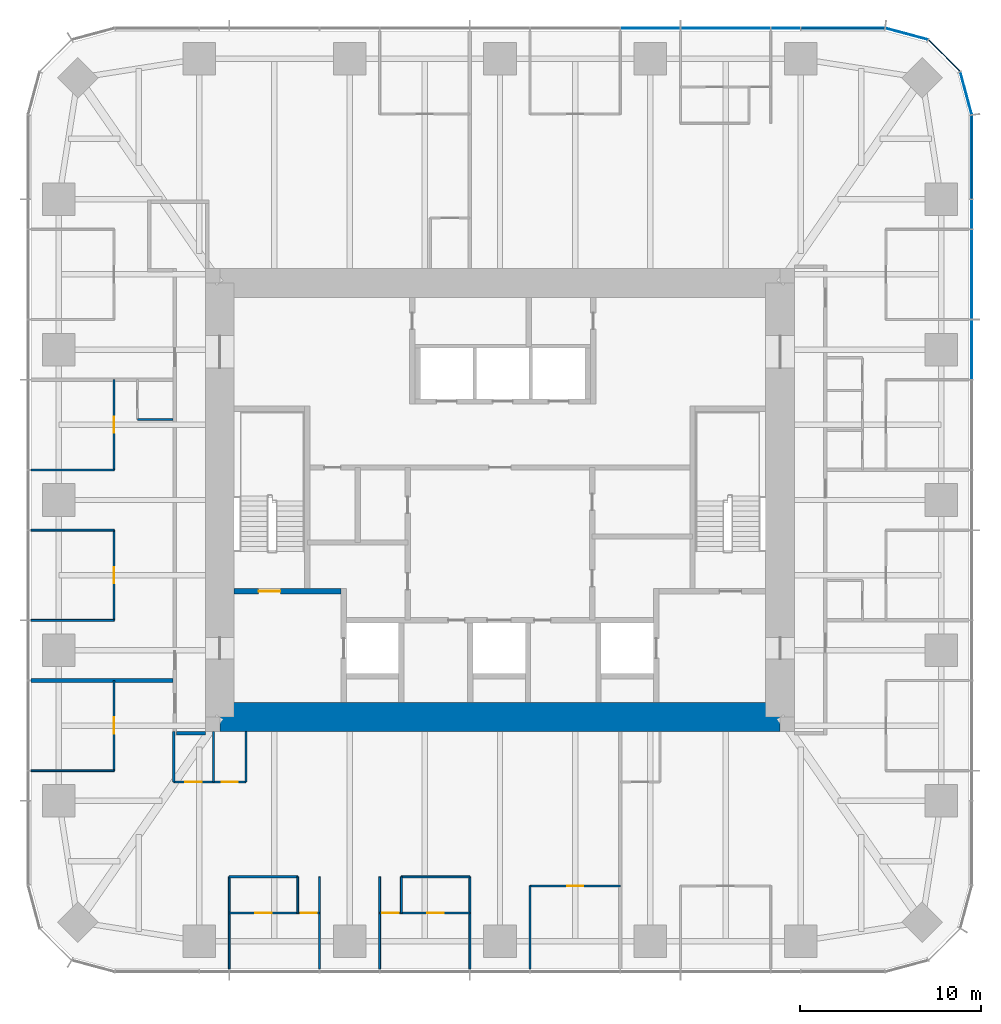
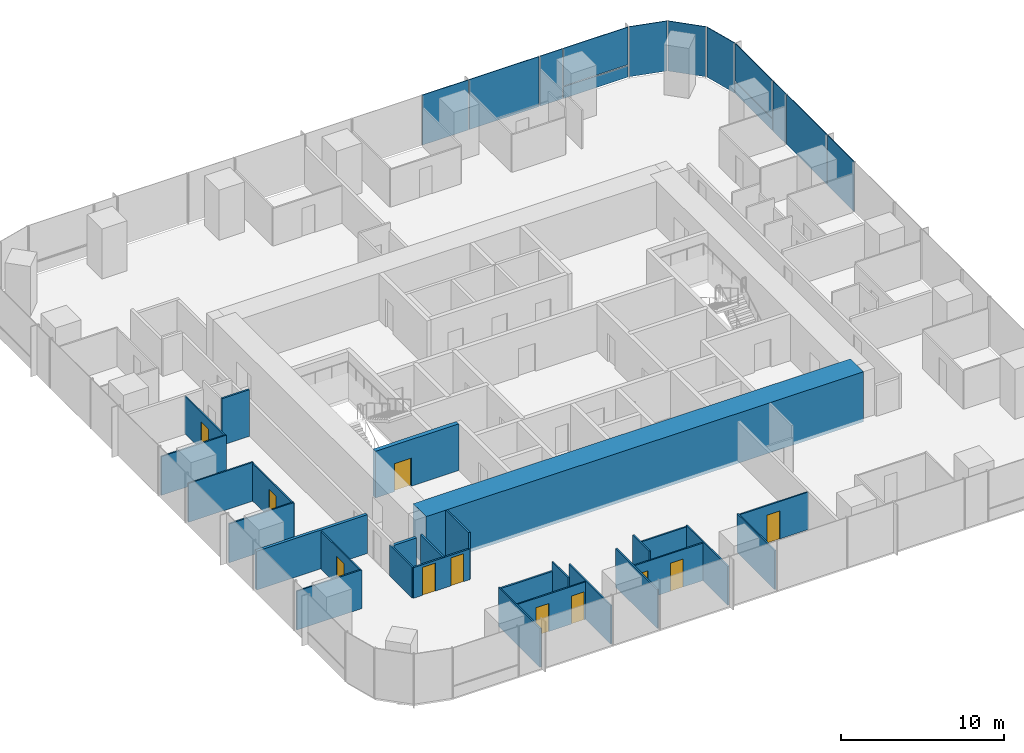
# One storey, part 8 of 12: 28 walls, 13 plates, 11 doors, 11 openings, 3 elements without a shape of their own.
"""IFC4 building model written with IfcOpenShell, lengths in metres."""

from ifc_helpers import new_model, si_unit, direction, frame, frame_2d, origin, origin_2d, place, context, subcontext, project, spatial, rectangle, extrude, material, layer, layer_set, type_object, element, fill, aggregate, save


model = new_model("IFC4")

# Units and contexts
model_context = context("Model", 3, precision=1e-05, world=origin(), true_north=direction((0.0, 1.0)))
body_context = subcontext(model_context, "Body", "Model", "MODEL_VIEW")
ifc_project = project(units=[si_unit("LENGTHUNIT", "METRE"), si_unit("AREAUNIT", "SQUARE_METRE"), si_unit("VOLUMEUNIT", "CUBIC_METRE"), si_unit("PLANEANGLEUNIT", "RADIAN"), si_unit("MASSUNIT", "GRAM", prefix="KILO")], contexts=[model_context])

# Site, building, storey
site_placement = place(None, origin())
site = spatial("IfcSite", under=ifc_project, at=site_placement, CompositionType="ELEMENT")
building_placement = place(site_placement, origin())
building = spatial("IfcBuilding", under=site, at=building_placement, Name="Khuree Lantern Residences", CompositionType="ELEMENT")
storey_placement = place(building_placement, frame((0.0, 0.0, 233.25)))
storey = spatial("IfcBuildingStorey", under=building, at=storey_placement, Name="L58", CompositionType="ELEMENT", Elevation=233.25)

# Curtain wall, plates
ifc_material_1 = material(Name="Bronze anodised aluminium", Category="aluminium")
curtain_wall_type_1 = type_object("IfcCurtainWallType", Name="CW-T2 TOWER CORNER CURTAIN WALL", PredefinedType="USERDEFINED", material=ifc_material_1)
curtain_wall_1_placement = place(storey_placement, origin())
curtain_wall_1 = element("IfcCurtainWall", 1, at=curtain_wall_1_placement, inside=storey, type_object=curtain_wall_type_1, Name="L58 NORTH-EAST CORNER CURTAIN WALL", ObjectType="Faceted corner curtain wall", PredefinedType="USERDEFINED")
ifc_material_2 = material(Name="Bronze tinted triple glazing", Category="glass")
ifc_layer_1 = layer(ifc_material_2, 0.048095703125)
ifc_layer_set_1 = layer_set([ifc_layer_1], Name="FACET PANEL P4")
plate_type_1 = type_object("IfcPlateType", Name="FACET PANEL P4", PredefinedType="CURTAIN_PANEL", material=ifc_layer_set_1)
plate_1_placement = place(storey_placement, frame((25.779052734375, 22.498046875, 0.0), z_axis=(0.0, 0.0, 1.0), x_axis=(-0.258819021888, 0.965925832509, 0.0)))
plate_1 = element("IfcPlate", 2, at=plate_1_placement, type_object=plate_type_1, Name="L58 NORTH-EAST CORNER PANEL 15.1", PredefinedType="CURTAIN_PANEL", context=body_context, shape_type="SweptSolid", body=[
    extrude(rectangle(XDim=2.40869140625, YDim=0.048095703125, at=origin_2d()), origin(), (0.0, 0.0, 1.0), 3.75),
])
plate_2_placement = place(storey_placement, frame((24.578369140625, 24.578369140625, 0.0), z_axis=(0.0, 0.0, 1.0), x_axis=(-0.707106781187, 0.707106781187, 0.0)))
plate_2 = element("IfcPlate", 3, at=plate_2_placement, type_object=plate_type_1, Name="L58 NORTH-EAST CORNER PANEL 16.1", PredefinedType="CURTAIN_PANEL", context=body_context, shape_type="SweptSolid", body=[
    extrude(rectangle(XDim=2.404541015625, YDim=0.048095703125, at=origin_2d()), origin(), (0.0, 0.0, 1.0), 3.75),
])
plate_3_placement = place(storey_placement, frame((22.498046875, 25.779052734375, 0.0), z_axis=(0.0, 0.0, 1.0), x_axis=(-0.965925832509, 0.258819021888, 0.0)))
plate_3 = element("IfcPlate", 4, at=plate_3_placement, type_object=plate_type_1, Name="L58 NORTH-EAST CORNER PANEL 17.1", PredefinedType="CURTAIN_PANEL", context=body_context, shape_type="SweptSolid", body=[
    extrude(rectangle(XDim=2.40869140625, YDim=0.048095703125, at=origin_2d()), origin(), (0.0, 0.0, 1.0), 3.75),
])
aggregate(curtain_wall_1, [plate_1, plate_2, plate_3])

# Curtain wall, plate
curtain_wall_type_2 = type_object("IfcCurtainWallType", Name="CW-T1 TOWER FACE CURTAIN WALL", PredefinedType="USERDEFINED", material=ifc_material_1)
curtain_wall_2_placement = place(storey_placement, origin())
curtain_wall_2 = element("IfcCurtainWall", 5, at=curtain_wall_2_placement, inside=storey, type_object=curtain_wall_type_2, Name="L58 EAST FACE CURTAIN WALL", ObjectType="Stick-built curtain wall", PredefinedType="USERDEFINED")
ifc_material_3 = material(Name="Bronze tinted triple glazing with a ceramic-fritted spandrel band", Category="glass")
ifc_layer_2 = layer(ifc_material_3, 0.048095703125)
ifc_layer_set_2 = layer_set([ifc_layer_2], Name="FIXED LIGHT PANEL P11")
plate_type_2 = type_object("IfcPlateType", Name="FIXED LIGHT PANEL P11", PredefinedType="CURTAIN_PANEL", material=ifc_layer_set_2)
plate_4_placement = place(storey_placement, frame((26.10009765625, 12.47998046875, 0.0), z_axis=(0.0, 0.0, 1.0), x_axis=(0.0, 1.0, 0.0)))
plate_4 = element("IfcPlate", 6, at=plate_4_placement, type_object=plate_type_2, Name="L58 EAST FACE PANEL 12.1", PredefinedType="CURTAIN_PANEL", context=body_context, shape_type="SweptSolid", body=[
    extrude(rectangle(XDim=4.927001953125, YDim=0.048095703125, at=origin_2d()), origin(), (0.0, 0.0, 1.0), 3.75),
])

curtain_wall_3_placement = place(storey_placement, origin())
curtain_wall_3 = element("IfcCurtainWall", 7, at=curtain_wall_3_placement, inside=storey, type_object=curtain_wall_type_2, Name="L58 NORTH FACE CURTAIN WALL", ObjectType="Stick-built curtain wall", PredefinedType="USERDEFINED")
plate_5_placement = place(storey_placement, frame((12.47998046875, 26.10009765625, 0.0), z_axis=(0.0, 0.0, 1.0), x_axis=(-1.0, 0.0, 0.0)))
plate_5 = element("IfcPlate", 8, at=plate_5_placement, type_object=plate_type_2, Name="L58 NORTH FACE PANEL 20.1", PredefinedType="CURTAIN_PANEL", context=body_context, shape_type="SweptSolid", body=[
    extrude(rectangle(XDim=4.927001953125, YDim=0.048095703125, at=origin_2d()), origin(), (0.0, 0.0, 1.0), 3.75),
])

# Plate
ifc_material_4 = material(Name="Bronze tinted triple glazing, two aluminium-framed sashes in one frame", Category="aluminium")
ifc_layer_3 = layer(ifc_material_4, 0.048095703125)
ifc_layer_set_3 = layer_set([ifc_layer_3], Name="SASH PAIR PANEL P12")
plate_type_3 = type_object("IfcPlateType", Name="SASH PAIR PANEL P12", PredefinedType="CURTAIN_PANEL", material=ifc_layer_set_3)
plate_6_placement = place(storey_placement, frame((26.10009765625, 8.320068359375, 0.0), z_axis=(0.0, 0.0, 1.0), x_axis=(0.0, 1.0, 0.0)))
plate_6 = element("IfcPlate", 9, at=plate_6_placement, type_object=plate_type_3, Name="L58 EAST FACE PANEL 11.1", PredefinedType="CURTAIN_PANEL", context=body_context, shape_type="SweptSolid", body=[
    extrude(rectangle(XDim=3.262939453125, YDim=0.048095703125, at=origin_2d()), origin(), (0.0, 0.0, 1.0), 3.75),
])

plate_7_placement = place(storey_placement, frame((8.320068359375, 26.10009765625, 0.0), z_axis=(0.0, 0.0, 1.0), x_axis=(-1.0, 0.0, 0.0)))
plate_7 = element("IfcPlate", 10, at=plate_7_placement, type_object=plate_type_3, Name="L58 NORTH FACE PANEL 21.1", PredefinedType="CURTAIN_PANEL", context=body_context, shape_type="SweptSolid", body=[
    extrude(rectangle(XDim=3.262939453125, YDim=0.048095703125, at=origin_2d()), origin(), (0.0, 0.0, 1.0), 3.75),
])

ifc_material_5 = material(Name="Bronze tinted triple glazing, aluminium-framed sash", Category="aluminium")
ifc_layer_4 = layer(ifc_material_5, 0.048095703125)
ifc_layer_set_4 = layer_set([ifc_layer_4], Name="SASH PANEL P3")
plate_type_4 = type_object("IfcPlateType", Name="SASH PANEL P3", PredefinedType="CURTAIN_PANEL", material=ifc_layer_set_4)
plate_8_placement = place(storey_placement, frame((26.10009765625, 15.80810546875, 0.0), z_axis=(0.0, 0.0, 1.0), x_axis=(0.0, 1.0, 0.0)))
plate_8 = element("IfcPlate", 11, at=plate_8_placement, type_object=plate_type_4, Name="L58 EAST FACE PANEL 13.1", PredefinedType="CURTAIN_PANEL", context=body_context, shape_type="SweptSolid", body=[
    extrude(rectangle(XDim=1.59912109375, YDim=0.048095703125, at=origin_2d()), origin(), (0.0, 0.0, 1.0), 3.75),
])

plate_9_placement = place(storey_placement, frame((15.80810546875, 26.10009765625, 0.0), z_axis=(0.0, 0.0, 1.0), x_axis=(-1.0, 0.0, 0.0)))
plate_9 = element("IfcPlate", 12, at=plate_9_placement, type_object=plate_type_4, Name="L58 NORTH FACE PANEL 19.1", PredefinedType="CURTAIN_PANEL", context=body_context, shape_type="SweptSolid", body=[
    extrude(rectangle(XDim=1.59912109375, YDim=0.048095703125, at=origin_2d()), origin(), (0.0, 0.0, 1.0), 3.75),
])

ifc_material_6 = material(Name="Bronze anodised aluminium insulated spandrel", Category="aluminium")
ifc_layer_5 = layer(ifc_material_6, 0.06005859375)
ifc_layer_set_5 = layer_set([ifc_layer_5], Name="SPANDREL PANEL P2")
plate_type_5 = type_object("IfcPlateType", Name="SPANDREL PANEL P2", PredefinedType="CURTAIN_PANEL", material=ifc_layer_set_5)
plate_10_placement = place(storey_placement, frame((26.10009765625, 18.9677734375, 0.0), z_axis=(0.0, 0.0, 1.0), x_axis=(0.0, 1.0, 0.0)))
plate_10 = element("IfcPlate", 13, at=plate_10_placement, type_object=plate_type_5, Name="L58 EAST FACE PANEL 14.1", PredefinedType="CURTAIN_PANEL", context=body_context, shape_type="SweptSolid", body=[
    extrude(rectangle(XDim=4.5908203125, YDim=0.06005859375, at=origin_2d()), origin(), (0.0, 0.0, 1.0), 0.867431640625),
])

plate_11_placement = place(storey_placement, frame((18.9677734375, 26.10009765625, 0.0), z_axis=(0.0, 0.0, 1.0), x_axis=(-1.0, 0.0, 0.0)))
plate_11 = element("IfcPlate", 14, at=plate_11_placement, type_object=plate_type_5, Name="L58 NORTH FACE PANEL 18.1", PredefinedType="CURTAIN_PANEL", context=body_context, shape_type="SweptSolid", body=[
    extrude(rectangle(XDim=4.5908203125, YDim=0.06005859375, at=origin_2d()), origin(), (0.0, 0.0, 1.0), 0.867431640625),
])

ifc_layer_6 = layer(ifc_material_2, 0.048095703125)
ifc_layer_set_6 = layer_set([ifc_layer_6], Name="VISION PANEL P1")
plate_type_6 = type_object("IfcPlateType", Name="VISION PANEL P1", PredefinedType="CURTAIN_PANEL", material=ifc_layer_set_6)
plate_12_placement = place(storey_placement, frame((26.10009765625, 18.96826171875, 0.9326171875), z_axis=(0.0, 0.0, 1.0), x_axis=(0.0, 1.0, 0.0)))
plate_12 = element("IfcPlate", 15, at=plate_12_placement, type_object=plate_type_6, Name="L58 EAST FACE PANEL 14.2", PredefinedType="CURTAIN_PANEL", context=body_context, shape_type="SweptSolid", body=[
    extrude(rectangle(XDim=4.591552734375, YDim=0.048095703125, at=origin_2d()), origin(), (0.0, 0.0, 1.0), 2.8173828125),
])

aggregate(curtain_wall_2, [plate_6, plate_4, plate_8, plate_10, plate_12])

plate_13_placement = place(storey_placement, frame((18.96826171875, 26.10009765625, 0.9326171875), z_axis=(0.0, 0.0, 1.0), x_axis=(-1.0, 0.0, 0.0)))
plate_13 = element("IfcPlate", 16, at=plate_13_placement, type_object=plate_type_6, Name="L58 NORTH FACE PANEL 18.2", PredefinedType="CURTAIN_PANEL", context=body_context, shape_type="SweptSolid", body=[
    extrude(rectangle(XDim=4.591552734375, YDim=0.048095703125, at=origin_2d()), origin(), (0.0, 0.0, 1.0), 2.8173828125),
])

aggregate(curtain_wall_3, [plate_11, plate_13, plate_9, plate_5, plate_7])

# Walls
ifc_material_7 = material(Name="Moisture-resistant gypsum board on steel studs", Category="steel")
ifc_layer_7 = layer(ifc_material_7, 0.125)
ifc_layer_set_7 = layer_set([ifc_layer_7], Name="BATHROOM WALL BTW125")
wall_type_1 = type_object("IfcWallType", Name="BATHROOM WALL BTW125", PredefinedType="PARTITIONING", material=ifc_layer_set_7)
wall_1_placement = place(storey_placement, frame((-18.10009765625, 4.4560546875, 0.0), z_axis=(0.0, 0.0, 1.0), x_axis=(-1.0, 0.0, 0.0)))
element("IfcWall", 17, at=wall_1_placement, inside=storey, type_object=wall_type_1, Name="L58 BATHROOM WALL 04", PredefinedType="PARTITIONING", context=body_context, shape_type="SweptSolid", body=[
    extrude(rectangle(XDim=1.949951171875, YDim=0.125, at=frame_2d((0.97509765625, 0.0))), origin(), (0.0, 0.0, 1.0), 3.5),
])
wall_2_placement = place(storey_placement, frame((-14.97607421875, -20.844970703125, 0.0), z_axis=(0.0, 0.0, 1.0), x_axis=(1.0, 0.0, 0.0)))
element("IfcWall", 18, at=wall_2_placement, inside=storey, type_object=wall_type_1, Name="L58 BATHROOM WALL 05", PredefinedType="PARTITIONING", context=body_context, shape_type="SweptSolid", body=[
    extrude(rectangle(XDim=3.7919921875, YDim=0.125, at=frame_2d((1.89599609375, 0.0))), origin(), (0.0, 0.0, 1.0), 2.81005859375),
])

# Wall, openings, doors
wall_3_placement = place(storey_placement, frame((-18.050048828125, -15.60009765625, 0.0), z_axis=(0.0, 0.0, 1.0), x_axis=(1.0, 0.0, 0.0)))
wall_3 = element("IfcWall", 19, at=wall_3_placement, inside=storey, type_object=wall_type_1, Name="L58 BATHROOM WALL 05", PredefinedType="PARTITIONING", context=body_context, shape_type="SweptSolid", body=[
    extrude(rectangle(XDim=4.0, YDim=0.125, at=frame_2d((2.0, 0.0))), origin(), (0.0, 0.0, 1.0), 2.300048828125),
])
opening_1_placement = place(wall_3_placement, frame((0.64990234375, 0.0, 0.0)))
opening_1 = element("IfcOpeningElement", 20, at=opening_1_placement, cuts=wall_3, Name="Opening 58-049", PredefinedType="OPENING", context=body_context, shape_type="SweptSolid", body=[
    extrude(rectangle(XDim=0.89990234375, YDim=2.10009765625, at=frame_2d((0.449951171875, 1.050048828125))), frame((0.0, 0.072509765625, 0.0), z_axis=(0.0, -1.0, 0.0), x_axis=(1.0, 0.0, 0.0)), (0.0, 0.0, 1.0), 0.14501953125),
])
opening_2_placement = place(wall_3_placement, frame((2.64990234375, 0.0, 0.0)))
opening_2 = element("IfcOpeningElement", 21, at=opening_2_placement, cuts=wall_3, Name="Opening 58-050", PredefinedType="OPENING", context=body_context, shape_type="SweptSolid", body=[
    extrude(rectangle(XDim=0.89990234375, YDim=2.10009765625, at=frame_2d((0.449951171875, 1.050048828125))), frame((0.0, 0.072509765625, 0.0), z_axis=(0.0, -1.0, 0.0), x_axis=(1.0, 0.0, 0.0)), (0.0, 0.0, 1.0), 0.14501953125),
])
ifc_material_8 = material(Name="Timber door leaf in hardwood frame", Category="wood")
door_type_1 = type_object("IfcDoorType", Name="BATHROOM DOOR 900X2100", OperationType="SINGLE_SWING_LEFT", PredefinedType="DOOR", material=ifc_material_8)
door_1_placement = place(opening_1_placement, origin())
door_1 = element("IfcDoor", 22, at=door_1_placement, inside=storey, type_object=door_type_1, Name="Bathroom door 58-049", OperationType="SINGLE_SWING_LEFT", OverallHeight=2.10009765625, OverallWidth=0.89990234375, PredefinedType="DOOR", context=body_context, shape_type="SweptSolid", body=[
    extrude(rectangle(XDim=0.89990234375, YDim=2.10009765625, at=frame_2d((0.449951171875, 1.050048828125))), frame((0.0, 0.02490234375, 0.0), z_axis=(0.0, -1.0, 0.0), x_axis=(1.0, 0.0, 0.0)), (0.0, 0.0, 1.0), 0.050048828125),
])
fill(opening_1, door_1)
door_type_2 = type_object("IfcDoorType", Name="DOOR 900X2100", OperationType="SINGLE_SWING_LEFT", PredefinedType="DOOR", material=ifc_material_8)
door_2_placement = place(opening_2_placement, origin())
door_2 = element("IfcDoor", 23, at=door_2_placement, inside=storey, type_object=door_type_2, Name="Store door 58-050", OperationType="SINGLE_SWING_LEFT", OverallHeight=2.10009765625, OverallWidth=0.89990234375, PredefinedType="DOOR", context=body_context, shape_type="SweptSolid", body=[
    extrude(rectangle(XDim=0.89990234375, YDim=2.10009765625, at=frame_2d((0.449951171875, 1.050048828125))), frame((0.0, 0.02490234375, 0.0), z_axis=(0.0, -1.0, 0.0), x_axis=(1.0, 0.0, 0.0)), (0.0, 0.0, 1.0), 0.050048828125),
])
fill(opening_2, door_2)

# Walls
for number, where, z_axis, x_axis, name in (
    (24, (-18.050048828125, -12.800048828125, 0.0), (0.0, 0.0, 1.0), (0.0, -1.0, 0.0), "L58 BATHROOM WALL 05"),
    (25, (-15.85009765625, -12.800048828125, 0.0), (0.0, 0.0, 1.0), (0.0, -1.0, 0.0), "L58 BATHROOM WALL 05"),
):
    element("IfcWall", number, at=place(storey_placement, frame(where, z_axis=z_axis, x_axis=x_axis)), inside=storey, type_object=wall_type_1, Name=name, PredefinedType="PARTITIONING", context=body_context, shape_type="SweptSolid", body=[
        extrude(rectangle(XDim=2.800048828125, YDim=0.125, at=frame_2d((1.39990234375, 0.0))), origin(), (0.0, 0.0, 1.0), 2.300048828125),
    ])
wall_4_placement = place(storey_placement, frame((-14.050048828125, -12.800048828125, 0.0), z_axis=(0.0, 0.0, 1.0), x_axis=(0.0, -1.0, 0.0)))
element("IfcWall", 26, at=wall_4_placement, inside=storey, type_object=wall_type_1, Name="L58 BATHROOM WALL 05", PredefinedType="PARTITIONING", context=body_context, shape_type="SweptSolid", body=[
    extrude(rectangle(XDim=2.800048828125, YDim=0.125, at=frame_2d((1.39990234375, 0.0))), origin(), (0.0, 0.0, 1.0), 3.5),
])
ifc_material_9 = material(Name="Gypsum board on steel studs", Category="steel")
ifc_layer_8 = layer(ifc_material_9, 0.199951171875)
ifc_layer_set_8 = layer_set([ifc_layer_8], Name="CORRIDOR WALL CRW200 EI 60")
wall_type_2 = type_object("IfcWallType", Name="CORRIDOR WALL CRW200 EI 60", PredefinedType="PARTITIONING", material=ifc_layer_set_8)
wall_5_placement = place(storey_placement, frame((-16.300048828125, -12.89990234375, 0.0), z_axis=(0.0, 0.0, 1.0), x_axis=(-1.0, 0.0, 0.0)))
element("IfcWall", 27, at=wall_5_placement, inside=storey, type_object=wall_type_2, Name="L58 WEST CORRIDOR SOUTH END WALL", PredefinedType="PARTITIONING", context=body_context, shape_type="SweptSolid", body=[
    extrude(rectangle(XDim=1.599853515625, YDim=0.199951171875, at=frame_2d((0.7998046875, 0.0))), origin(), (0.0, 0.0, 1.0), 2.300048828125),
])
ifc_material_10 = material(Name="Concrete C50/60", Category="concrete")
ifc_layer_9 = layer(ifc_material_10, 1.60009765625)
ifc_layer_set_9 = layer_set([ifc_layer_9], Name="CW1600-C50 CORE WALL C50 1600")
wall_type_3 = type_object("IfcWallType", Name="CW1600-C50 CORE WALL C50 1600", PredefinedType="SHEAR", material=ifc_layer_set_9)
wall_6_placement = place(storey_placement, frame((-15.5, -12.0, -0.25), z_axis=(0.0, 0.0, 1.0), x_axis=(1.0, 0.0, 0.0)))
element("IfcWall", 28, at=wall_6_placement, inside=storey, type_object=wall_type_3, Name="Core wall S", PredefinedType="SHEAR", context=body_context, shape_type="SweptSolid", body=[
    extrude(rectangle(XDim=31.0, YDim=1.60009765625, at=frame_2d((15.5, 0.0))), origin(), (0.0, 0.0, 1.0), 3.75),
])
ifc_layer_10 = layer(ifc_material_9, 0.199951171875)
ifc_layer_set_10 = layer_set([ifc_layer_10], Name="DEMISING WALL DMW200 EI 90")
wall_type_4 = type_object("IfcWallType", Name="DEMISING WALL DMW200 EI 90", PredefinedType="PARTITIONING", material=ifc_layer_set_10)
wall_7_placement = place(storey_placement, frame((-18.10009765625, -9.98388671875, 0.0), z_axis=(0.0, 0.0, 1.0), x_axis=(-1.0, 0.0, 0.0)))
element("IfcWall", 29, at=wall_7_placement, inside=storey, type_object=wall_type_4, Name="L58 DEMISING WALL 05", PredefinedType="PARTITIONING", context=body_context, shape_type="SweptSolid", body=[
    extrude(rectangle(XDim=7.849853515625, YDim=0.199951171875, at=frame_2d((3.9248046875, 0.0))), origin(), (0.0, 0.0, 1.0), 2.909912109375),
])
ifc_layer_11 = layer(ifc_material_9, 0.10009765625)
ifc_layer_set_11 = layer_set([ifc_layer_11], Name="PARTITION PT100")
wall_type_5 = type_object("IfcWallType", Name="PARTITION PT100", PredefinedType="PARTITIONING", material=ifc_layer_set_11)
for number, where, z_axis, x_axis, name in (
    (30, (-21.35009765625, 1.6640625, 0.0), (0.0, 0.0, 1.0), (-1.0, 0.0, 0.0), "L58 PARTITION 04"),
    (31, (-21.35009765625, -1.6640625, 0.0), (0.0, 0.0, 1.0), (-1.0, 0.0, 0.0), "L58 PARTITION 04"),
    (32, (-21.35009765625, -6.656005859375, 0.0), (0.0, 0.0, 1.0), (-1.0, 0.0, 0.0), "L58 PARTITION 04"),
    (33, (-21.35009765625, -14.97607421875, 0.0), (0.0, 0.0, 1.0), (-1.0, 0.0, 0.0), "L58 PARTITION 05"),
):
    element("IfcWall", number, at=place(storey_placement, frame(where, z_axis=z_axis, x_axis=x_axis)), inside=storey, type_object=wall_type_5, Name=name, PredefinedType="PARTITIONING", context=body_context, shape_type="SweptSolid", body=[
        extrude(rectangle(XDim=4.599853515625, YDim=0.10009765625, at=frame_2d((2.2998046875, 0.0))), origin(), (0.0, 0.0, 1.0), 2.909912109375),
    ])
for number, where, z_axis, x_axis, name in (
    (34, (-14.97607421875, -20.844970703125, 0.0), (0.0, 0.0, 1.0), (0.0, -1.0, 0.0), "L58 PARTITION 05"),
    (35, (-9.98388671875, -20.844970703125, 0.0), (0.0, 0.0, 1.0), (0.0, -1.0, 0.0), "L58 PARTITION 05"),
    (36, (-6.656005859375, -20.844970703125, 0.0), (0.0, 0.0, 1.0), (0.0, -1.0, 0.0), "L58 PARTITION 05"),
    (37, (-1.6640625, -20.844970703125, 0.0), (0.0, 0.0, 1.0), (0.0, -1.0, 0.0), "L58 PARTITION 05"),
):
    element("IfcWall", number, at=place(storey_placement, frame(where, z_axis=z_axis, x_axis=x_axis)), inside=storey, type_object=wall_type_5, Name=name, PredefinedType="PARTITIONING", context=body_context, shape_type="SweptSolid", body=[
        extrude(rectangle(XDim=5.10498046875, YDim=0.10009765625, at=frame_2d((2.552490234375, 0.0))), origin(), (0.0, 0.0, 1.0), 2.909912109375),
    ])
wall_8_placement = place(storey_placement, frame((1.6640625, -21.35009765625, 0.0), z_axis=(0.0, 0.0, 1.0), x_axis=(0.0, -1.0, 0.0)))
element("IfcWall", 38, at=wall_8_placement, inside=storey, type_object=wall_type_5, Name="L58 PARTITION 05", PredefinedType="PARTITIONING", context=body_context, shape_type="SweptSolid", body=[
    extrude(rectangle(XDim=4.599853515625, YDim=0.10009765625, at=frame_2d((2.2998046875, 0.0))), origin(), (0.0, 0.0, 1.0), 2.909912109375),
])

# Wall, opening, door
wall_9_placement = place(storey_placement, frame((-21.35009765625, 6.656005859375, 0.0), z_axis=(0.0, 0.0, 1.0), x_axis=(0.0, -1.0, 0.0)))
wall_9 = element("IfcWall", 39, at=wall_9_placement, inside=storey, type_object=wall_type_5, Name="L58 PARTITION 04", PredefinedType="PARTITIONING", context=body_context, shape_type="SweptSolid", body=[
    extrude(rectangle(XDim=4.991943359375, YDim=0.10009765625, at=frame_2d((2.49609375, 0.0))), origin(), (0.0, 0.0, 1.0), 2.81005859375),
])
opening_3_placement = place(wall_9_placement, frame((2.0458984375, 0.0, 0.0)))
opening_3 = element("IfcOpeningElement", 40, at=opening_3_placement, cuts=wall_9, Name="Opening 58-039", PredefinedType="OPENING", context=body_context, shape_type="SweptSolid", body=[
    extrude(rectangle(XDim=0.89990234375, YDim=2.10009765625, at=frame_2d((0.449951171875, 1.050048828125))), frame((0.0, 0.06005859375, 0.0), z_axis=(0.0, -1.0, 0.0), x_axis=(1.0, 0.0, 0.0)), (0.0, 0.0, 1.0), 0.1201171875),
])
door_type_3 = type_object("IfcDoorType", Name="BEDROOM DOOR 900X2100", OperationType="SINGLE_SWING_LEFT", PredefinedType="DOOR", material=ifc_material_8)
door_3_placement = place(opening_3_placement, origin())
door_3 = element("IfcDoor", 41, at=door_3_placement, inside=storey, type_object=door_type_3, Name="Bedroom door 58-039", OperationType="SINGLE_SWING_LEFT", OverallHeight=2.10009765625, OverallWidth=0.89990234375, PredefinedType="DOOR", context=body_context, shape_type="SweptSolid", body=[
    extrude(rectangle(XDim=0.89990234375, YDim=2.10009765625, at=frame_2d((0.449951171875, 1.050048828125))), frame((0.0, 0.02490234375, 0.0), z_axis=(0.0, -1.0, 0.0), x_axis=(1.0, 0.0, 0.0)), (0.0, 0.0, 1.0), 0.050048828125),
])
fill(opening_3, door_3)

wall_10_placement = place(storey_placement, frame((-21.35009765625, -1.6640625, 0.0), z_axis=(0.0, 0.0, 1.0), x_axis=(0.0, -1.0, 0.0)))
wall_10 = element("IfcWall", 42, at=wall_10_placement, inside=storey, type_object=wall_type_5, Name="L58 PARTITION 04", PredefinedType="PARTITIONING", context=body_context, shape_type="SweptSolid", body=[
    extrude(rectangle(XDim=4.991943359375, YDim=0.10009765625, at=frame_2d((2.49609375, 0.0))), origin(), (0.0, 0.0, 1.0), 2.81005859375),
])
opening_4_placement = place(wall_10_placement, frame((2.0458984375, 0.0, 0.0)))
opening_4 = element("IfcOpeningElement", 43, at=opening_4_placement, cuts=wall_10, Name="Opening 58-040", PredefinedType="OPENING", context=body_context, shape_type="SweptSolid", body=[
    extrude(rectangle(XDim=0.89990234375, YDim=2.10009765625, at=frame_2d((0.449951171875, 1.050048828125))), frame((0.0, 0.06005859375, 0.0), z_axis=(0.0, -1.0, 0.0), x_axis=(1.0, 0.0, 0.0)), (0.0, 0.0, 1.0), 0.1201171875),
])
door_4_placement = place(opening_4_placement, origin())
door_4 = element("IfcDoor", 44, at=door_4_placement, inside=storey, type_object=door_type_3, Name="Bedroom door 58-040", OperationType="SINGLE_SWING_LEFT", OverallHeight=2.10009765625, OverallWidth=0.89990234375, PredefinedType="DOOR", context=body_context, shape_type="SweptSolid", body=[
    extrude(rectangle(XDim=0.89990234375, YDim=2.10009765625, at=frame_2d((0.449951171875, 1.050048828125))), frame((0.0, 0.02490234375, 0.0), z_axis=(0.0, -1.0, 0.0), x_axis=(1.0, 0.0, 0.0)), (0.0, 0.0, 1.0), 0.050048828125),
])
fill(opening_4, door_4)

wall_11_placement = place(storey_placement, frame((-21.35009765625, -9.98388671875, 0.0), z_axis=(0.0, 0.0, 1.0), x_axis=(0.0, -1.0, 0.0)))
wall_11 = element("IfcWall", 45, at=wall_11_placement, inside=storey, type_object=wall_type_5, Name="L58 PARTITION 05", PredefinedType="PARTITIONING", context=body_context, shape_type="SweptSolid", body=[
    extrude(rectangle(XDim=4.9921875, YDim=0.10009765625, at=frame_2d((2.49609375, 0.0))), origin(), (0.0, 0.0, 1.0), 2.81005859375),
])
opening_5_placement = place(wall_11_placement, frame((2.0458984375, 0.0, 0.0)))
opening_5 = element("IfcOpeningElement", 46, at=opening_5_placement, cuts=wall_11, Name="Opening 58-043", PredefinedType="OPENING", context=body_context, shape_type="SweptSolid", body=[
    extrude(rectangle(XDim=0.89990234375, YDim=2.10009765625, at=frame_2d((0.449951171875, 1.050048828125))), frame((0.0, 0.06005859375, 0.0), z_axis=(0.0, -1.0, 0.0), x_axis=(1.0, 0.0, 0.0)), (0.0, 0.0, 1.0), 0.1201171875),
])
door_5_placement = place(opening_5_placement, origin())
door_5 = element("IfcDoor", 47, at=door_5_placement, inside=storey, type_object=door_type_3, Name="Bedroom door 58-043", OperationType="SINGLE_SWING_LEFT", OverallHeight=2.10009765625, OverallWidth=0.89990234375, PredefinedType="DOOR", context=body_context, shape_type="SweptSolid", body=[
    extrude(rectangle(XDim=0.89990234375, YDim=2.10009765625, at=frame_2d((0.449951171875, 1.050048828125))), frame((0.0, 0.02490234375, 0.0), z_axis=(0.0, -1.0, 0.0), x_axis=(1.0, 0.0, 0.0)), (0.0, 0.0, 1.0), 0.050048828125),
])
fill(opening_5, door_5)

# Wall, openings, doors
wall_12_placement = place(storey_placement, frame((-14.97607421875, -22.844970703125, 0.0), z_axis=(0.0, 0.0, 1.0), x_axis=(1.0, 0.0, 0.0)))
wall_12 = element("IfcWall", 48, at=wall_12_placement, inside=storey, type_object=wall_type_5, Name="L58 PARTITION 05", PredefinedType="PARTITIONING", context=body_context, shape_type="SweptSolid", body=[
    extrude(rectangle(XDim=4.9921875, YDim=0.10009765625, at=frame_2d((2.49609375, 0.0))), origin(), (0.0, 0.0, 1.0), 2.81005859375),
])
opening_6_placement = place(wall_12_placement, frame((3.94189453125, 0.0, 0.0)))
opening_6 = element("IfcOpeningElement", 49, at=opening_6_placement, cuts=wall_12, Name="Opening 58-044", PredefinedType="OPENING", context=body_context, shape_type="SweptSolid", body=[
    extrude(rectangle(XDim=0.89990234375, YDim=2.10009765625, at=frame_2d((0.449951171875, 1.050048828125))), frame((0.0, 0.06005859375, 0.0), z_axis=(0.0, -1.0, 0.0), x_axis=(1.0, 0.0, 0.0)), (0.0, 0.0, 1.0), 0.1201171875),
])
opening_7_placement = place(wall_12_placement, frame((1.446044921875, 0.0, 0.0)))
opening_7 = element("IfcOpeningElement", 50, at=opening_7_placement, cuts=wall_12, Name="Opening 58-045", PredefinedType="OPENING", context=body_context, shape_type="SweptSolid", body=[
    extrude(rectangle(XDim=0.89990234375, YDim=2.10009765625, at=frame_2d((0.449951171875, 1.050048828125))), frame((0.0, 0.06005859375, 0.0), z_axis=(0.0, -1.0, 0.0), x_axis=(1.0, 0.0, 0.0)), (0.0, 0.0, 1.0), 0.1201171875),
])
door_6_placement = place(opening_7_placement, origin())
door_6 = element("IfcDoor", 51, at=door_6_placement, inside=storey, type_object=door_type_1, Name="Bathroom door 58-045", OperationType="SINGLE_SWING_LEFT", OverallHeight=2.10009765625, OverallWidth=0.89990234375, PredefinedType="DOOR", context=body_context, shape_type="SweptSolid", body=[
    extrude(rectangle(XDim=0.89990234375, YDim=2.10009765625, at=frame_2d((0.449951171875, 1.050048828125))), frame((0.0, 0.02490234375, 0.0), z_axis=(0.0, -1.0, 0.0), x_axis=(1.0, 0.0, 0.0)), (0.0, 0.0, 1.0), 0.050048828125),
])
fill(opening_7, door_6)
door_7_placement = place(opening_6_placement, origin())
door_7 = element("IfcDoor", 52, at=door_7_placement, inside=storey, type_object=door_type_3, Name="Bedroom door 58-044", OperationType="SINGLE_SWING_LEFT", OverallHeight=2.10009765625, OverallWidth=0.89990234375, PredefinedType="DOOR", context=body_context, shape_type="SweptSolid", body=[
    extrude(rectangle(XDim=0.89990234375, YDim=2.10009765625, at=frame_2d((0.449951171875, 1.050048828125))), frame((0.0, 0.02490234375, 0.0), z_axis=(0.0, -1.0, 0.0), x_axis=(1.0, 0.0, 0.0)), (0.0, 0.0, 1.0), 0.050048828125),
])
fill(opening_6, door_7)

# Wall
wall_13_placement = place(storey_placement, frame((-11.18408203125, -20.844970703125, 0.0), z_axis=(0.0, 0.0, 1.0), x_axis=(0.0, -1.0, 0.0)))
element("IfcWall", 53, at=wall_13_placement, inside=storey, type_object=wall_type_5, Name="L58 PARTITION 05", PredefinedType="PARTITIONING", context=body_context, shape_type="SweptSolid", body=[
    extrude(rectangle(XDim=2.0, YDim=0.10009765625, at=frame_2d((1.0, 0.0))), origin(), (0.0, 0.0, 1.0), 3.5),
])

# Wall, openings, doors
wall_14_placement = place(storey_placement, frame((-6.656005859375, -22.844970703125, 0.0), z_axis=(0.0, 0.0, 1.0), x_axis=(1.0, 0.0, 0.0)))
wall_14 = element("IfcWall", 54, at=wall_14_placement, inside=storey, type_object=wall_type_5, Name="L58 PARTITION 05", PredefinedType="PARTITIONING", context=body_context, shape_type="SweptSolid", body=[
    extrude(rectangle(XDim=4.991943359375, YDim=0.10009765625, at=frame_2d((2.49609375, 0.0))), origin(), (0.0, 0.0, 1.0), 2.81005859375),
])
opening_8_placement = place(wall_14_placement, frame((0.14990234375, 0.0, 0.0)))
opening_8 = element("IfcOpeningElement", 55, at=opening_8_placement, cuts=wall_14, Name="Opening 58-046", PredefinedType="OPENING", context=body_context, shape_type="SweptSolid", body=[
    extrude(rectangle(XDim=0.89990234375, YDim=2.10009765625, at=frame_2d((0.449951171875, 1.050048828125))), frame((0.0, 0.06005859375, 0.0), z_axis=(0.0, -1.0, 0.0), x_axis=(1.0, 0.0, 0.0)), (0.0, 0.0, 1.0), 0.1201171875),
])
opening_9_placement = place(wall_14_placement, frame((2.64599609375, 0.0, 0.0)))
opening_9 = element("IfcOpeningElement", 56, at=opening_9_placement, cuts=wall_14, Name="Opening 58-047", PredefinedType="OPENING", context=body_context, shape_type="SweptSolid", body=[
    extrude(rectangle(XDim=0.89990234375, YDim=2.10009765625, at=frame_2d((0.449951171875, 1.050048828125))), frame((0.0, 0.06005859375, 0.0), z_axis=(0.0, -1.0, 0.0), x_axis=(1.0, 0.0, 0.0)), (0.0, 0.0, 1.0), 0.1201171875),
])
door_8_placement = place(opening_8_placement, origin())
door_8 = element("IfcDoor", 57, at=door_8_placement, inside=storey, type_object=door_type_3, Name="Bedroom door 58-046", OperationType="SINGLE_SWING_LEFT", OverallHeight=2.10009765625, OverallWidth=0.89990234375, PredefinedType="DOOR", context=body_context, shape_type="SweptSolid", body=[
    extrude(rectangle(XDim=0.89990234375, YDim=2.10009765625, at=frame_2d((0.449951171875, 1.050048828125))), frame((0.0, 0.02490234375, 0.0), z_axis=(0.0, -1.0, 0.0), x_axis=(1.0, 0.0, 0.0)), (0.0, 0.0, 1.0), 0.050048828125),
])
fill(opening_8, door_8)
door_9_placement = place(opening_9_placement, origin())
door_9 = element("IfcDoor", 58, at=door_9_placement, inside=storey, type_object=door_type_2, Name="Wardrobe door 58-047", OperationType="SINGLE_SWING_LEFT", OverallHeight=2.10009765625, OverallWidth=0.89990234375, PredefinedType="DOOR", context=body_context, shape_type="SweptSolid", body=[
    extrude(rectangle(XDim=0.89990234375, YDim=2.10009765625, at=frame_2d((0.449951171875, 1.050048828125))), frame((0.0, 0.02490234375, 0.0), z_axis=(0.0, -1.0, 0.0), x_axis=(1.0, 0.0, 0.0)), (0.0, 0.0, 1.0), 0.050048828125),
])
fill(opening_9, door_9)

# Walls
wall_15_placement = place(storey_placement, frame((-5.4560546875, -20.844970703125, 0.0), z_axis=(0.0, 0.0, 1.0), x_axis=(0.0, -1.0, 0.0)))
element("IfcWall", 59, at=wall_15_placement, inside=storey, type_object=wall_type_5, Name="L58 PARTITION 05", PredefinedType="PARTITIONING", context=body_context, shape_type="SweptSolid", body=[
    extrude(rectangle(XDim=2.0, YDim=0.10009765625, at=frame_2d((1.0, 0.0))), origin(), (0.0, 0.0, 1.0), 3.5),
])
wall_16_placement = place(storey_placement, frame((-5.4560546875, -20.844970703125, 0.0), z_axis=(0.0, 0.0, 1.0), x_axis=(1.0, 0.0, 0.0)))
element("IfcWall", 60, at=wall_16_placement, inside=storey, type_object=wall_type_5, Name="L58 PARTITION 05", PredefinedType="PARTITIONING", context=body_context, shape_type="SweptSolid", body=[
    extrude(rectangle(XDim=3.7919921875, YDim=0.10009765625, at=frame_2d((1.89599609375, 0.0))), origin(), (0.0, 0.0, 1.0), 2.81005859375),
])

# Wall, opening, door
wall_17_placement = place(storey_placement, frame((1.6640625, -21.35009765625, 0.0), z_axis=(0.0, 0.0, 1.0), x_axis=(1.0, 0.0, 0.0)))
wall_17 = element("IfcWall", 61, at=wall_17_placement, inside=storey, type_object=wall_type_5, Name="L58 PARTITION 05", PredefinedType="PARTITIONING", context=body_context, shape_type="SweptSolid", body=[
    extrude(rectangle(XDim=4.991943359375, YDim=0.10009765625, at=frame_2d((2.49609375, 0.0))), origin(), (0.0, 0.0, 1.0), 2.81005859375),
])
opening_10_placement = place(wall_17_placement, frame((2.0458984375, 0.0, 0.0)))
opening_10 = element("IfcOpeningElement", 62, at=opening_10_placement, cuts=wall_17, Name="Opening 58-048", PredefinedType="OPENING", context=body_context, shape_type="SweptSolid", body=[
    extrude(rectangle(XDim=0.89990234375, YDim=2.10009765625, at=frame_2d((0.449951171875, 1.050048828125))), frame((0.0, 0.06005859375, 0.0), z_axis=(0.0, -1.0, 0.0), x_axis=(1.0, 0.0, 0.0)), (0.0, 0.0, 1.0), 0.1201171875),
])
door_type_4 = type_object("IfcDoorType", Name="BEDROOM DOOR 900X2100 RIGHT HAND", OperationType="SINGLE_SWING_RIGHT", PredefinedType="DOOR", material=ifc_material_8)
door_10_placement = place(opening_10_placement, origin())
door_10 = element("IfcDoor", 63, at=door_10_placement, inside=storey, type_object=door_type_4, Name="Bedroom door 58-048", OperationType="SINGLE_SWING_RIGHT", OverallHeight=2.10009765625, OverallWidth=0.89990234375, PredefinedType="DOOR", context=body_context, shape_type="SweptSolid", body=[
    extrude(rectangle(XDim=0.89990234375, YDim=2.10009765625, at=frame_2d((0.449951171875, 1.050048828125))), frame((0.0, 0.02490234375, 0.0), z_axis=(0.0, -1.0, 0.0), x_axis=(1.0, 0.0, 0.0)), (0.0, 0.0, 1.0), 0.050048828125),
])
fill(opening_10, door_10)

ifc_layer_12 = layer(ifc_material_10, 0.300048828125)
ifc_layer_set_12 = layer_set([ifc_layer_12], Name="STAIR WALL SRW300 C50/60 REI 240")
wall_type_6 = type_object("IfcWallType", Name="STAIR WALL SRW300 C50/60 REI 240", PredefinedType="SOLIDWALL", material=ifc_layer_set_12)
wall_18_placement = place(storey_placement, frame((-14.699951171875, -5.050048828125, 0.0), z_axis=(0.0, 0.0, 1.0), x_axis=(1.0, 0.0, 0.0)))
wall_18 = element("IfcWall", 64, at=wall_18_placement, inside=storey, type_object=wall_type_6, Name="L58 STAIR WALL ST1S", PredefinedType="SOLIDWALL", context=body_context, shape_type="SweptSolid", body=[
    extrude(rectangle(XDim=5.89990234375, YDim=0.300048828125, at=frame_2d((2.949951171875, 0.0))), origin(), (0.0, 0.0, 1.0), 3.5),
])
opening_11_placement = place(wall_18_placement, frame((1.35009765625, 0.0, 0.0)))
opening_11 = element("IfcOpeningElement", 65, at=opening_11_placement, cuts=wall_18, Name="Opening 58-001", PredefinedType="OPENING", context=body_context, shape_type="SweptSolid", body=[
    extrude(rectangle(XDim=1.199951171875, YDim=2.10009765625, at=frame_2d((0.60009765625, 1.050048828125))), frame((0.0, 0.16015625, 0.0), z_axis=(0.0, -1.0, 0.0), x_axis=(1.0, 0.0, 0.0)), (0.0, 0.0, 1.0), 0.320068359375),
])
ifc_material_11 = material(Name="Steel door leaf in steel frame", Category="steel")
door_type_5 = type_object("IfcDoorType", Name="STAIR DOOR 1200X2100 EI 120", OperationType="SINGLE_SWING_LEFT", PredefinedType="DOOR", material=ifc_material_11)
door_11_placement = place(opening_11_placement, origin())
door_11 = element("IfcDoor", 66, at=door_11_placement, inside=storey, type_object=door_type_5, Name="Stair ST1 door 58-001", OperationType="SINGLE_SWING_LEFT", OverallHeight=2.10009765625, OverallWidth=1.199951171875, PredefinedType="DOOR", context=body_context, shape_type="SweptSolid", body=[
    extrude(rectangle(XDim=1.199951171875, YDim=2.10009765625, at=frame_2d((0.60009765625, 1.050048828125))), frame((0.0, 0.02490234375, 0.0), z_axis=(0.0, -1.0, 0.0), x_axis=(1.0, 0.0, 0.0)), (0.0, 0.0, 1.0), 0.050048828125),
])
fill(opening_11, door_11)

save(model, "model.ifc")
